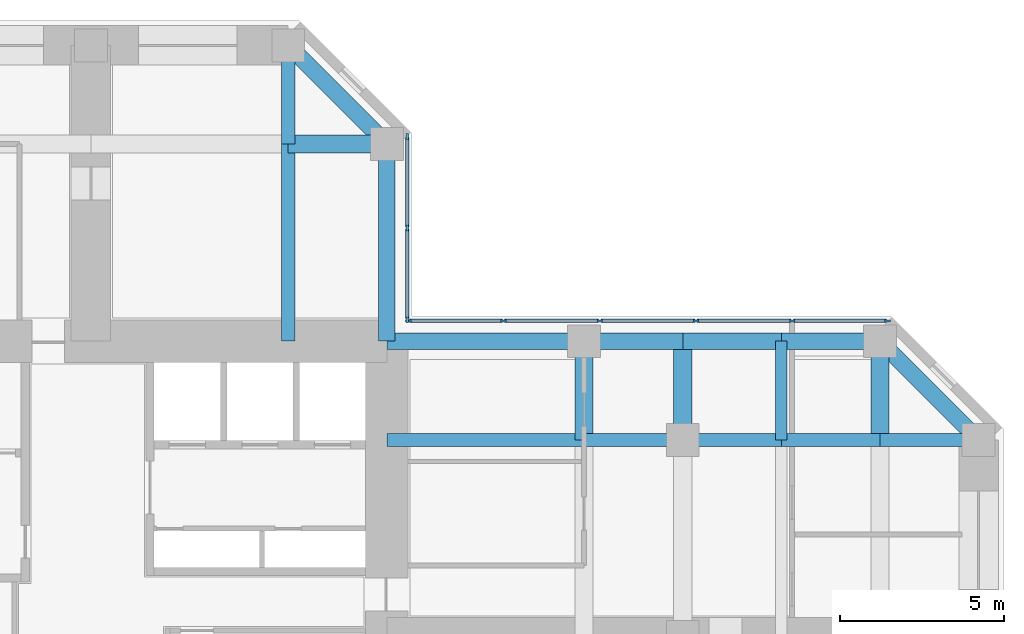
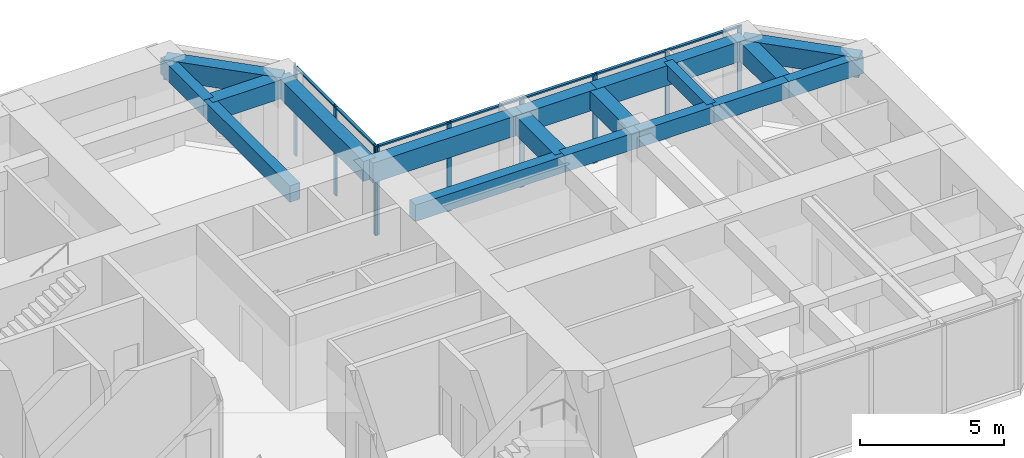
# One storey, part 6 of 13: 19 beams, 16 members, 2 elements without a shape of their own.
"""IFC4 building model written with IfcOpenShell, lengths in metres."""

from ifc_helpers import new_model, si_unit, direction, frame, origin, origin_2d, place, context, subcontext, project, spatial, rectangle, extrude, material, material_profile, profile_set, type_object, element, aggregate, save


model = new_model("IFC4")

# Units and contexts
model_context = context("Model", 3, precision=1e-05, world=origin(), true_north=direction((0.0, 1.0)))
body_context = subcontext(model_context, "Body", "Model", "MODEL_VIEW")
ifc_project = project(units=[si_unit("LENGTHUNIT", "METRE"), si_unit("AREAUNIT", "SQUARE_METRE"), si_unit("VOLUMEUNIT", "CUBIC_METRE"), si_unit("PLANEANGLEUNIT", "RADIAN"), si_unit("MASSUNIT", "GRAM", prefix="KILO")], contexts=[model_context])

# Site, building, storey
site_placement = place(None, origin())
site = spatial("IfcSite", under=ifc_project, at=site_placement, CompositionType="ELEMENT")
building_placement = place(site_placement, origin())
building = spatial("IfcBuilding", under=site, at=building_placement, Name="Torre Cruceta", CompositionType="ELEMENT")
storey_placement = place(building_placement, frame((0.0, 0.0, 132.5)))
storey = spatial("IfcBuildingStorey", under=building, at=storey_placement, Name="L32", CompositionType="ELEMENT", Elevation=132.5)

# Beams
ifc_material_1 = material(Name="Concrete G60 (fck 60 MPa)", Category="concrete")
ifc_material_profile_1 = material_profile(ifc_material_1, rectangle(XDim=0.39990234375, YDim=0.699951171875, at=origin_2d()), Name="RC 400X700")
ifc_profile_set_1 = profile_set([ifc_material_profile_1], Name="Concrete G60 (fck 60 MPa)")
beam_type_1 = type_object("IfcBeamType", Name="COLUMN LINE BEAM RC 400X700", PredefinedType="BEAM", material=ifc_profile_set_1)
beam_1_placement = place(storey_placement, frame((6.0, 9.0, 3.449951171875), z_axis=(0.0, 1.0, 0.0), x_axis=(-1.0, 0.0, 0.0)))
element("IfcBeam", 1, at=beam_1_placement, inside=storey, type_object=beam_type_1, Name="LB5 L32 N col- 1", PredefinedType="BEAM", context=body_context, shape_type="SweptSolid", body=[
    extrude(rectangle(XDim=0.39990234375, YDim=0.699951171875, at=origin_2d()), origin(), (0.0, 0.0, 1.0), 6.0),
])
beam_2_placement = place(storey_placement, frame((6.0, 15.0, 3.449951171875), z_axis=(0.0, 1.0, 0.0), x_axis=(-1.0, 0.0, 0.0)))
element("IfcBeam", 2, at=beam_2_placement, inside=storey, type_object=beam_type_1, Name="LB5 L32 N col- 2", PredefinedType="BEAM", context=body_context, shape_type="SweptSolid", body=[
    extrude(rectangle(XDim=0.39990234375, YDim=0.699951171875, at=origin_2d()), origin(), (0.0, 0.0, 1.0), 3.0),
])
beam_3_placement = place(storey_placement, frame((9.0, 6.0, 3.449951171875), z_axis=(1.0, 0.0, 0.0), x_axis=(0.0, 1.0, 0.0)))
element("IfcBeam", 3, at=beam_3_placement, inside=storey, type_object=beam_type_1, Name="LB5 L32 E col+ 1", PredefinedType="BEAM", context=body_context, shape_type="SweptSolid", body=[
    extrude(rectangle(XDim=0.39990234375, YDim=0.699951171875, at=origin_2d()), origin(), (0.0, 0.0, 1.0), 6.0),
])
for number, where, z_axis, x_axis, name in (
    (4, (15.0, 6.0, 3.449951171875), (1.0, 0.0, 0.0), (0.0, 1.0, 0.0), "LB5 L32 E col+ 2"),
    (5, (18.0, 6.0, 3.449951171875), (1.0, 0.0, 0.0), (0.0, 1.0, 0.0), "LB5 L32 E col+ 3"),
    (6, (21.0, 6.0, 3.449951171875), (1.0, 0.0, 0.0), (0.0, 1.0, 0.0), "LB5 L32 E col+ 4"),
    (7, (24.0, 6.0, 3.449951171875), (1.0, 0.0, 0.0), (0.0, 1.0, 0.0), "LB5 L32 E col+ 5"),
):
    element("IfcBeam", number, at=place(storey_placement, frame(where, z_axis=z_axis, x_axis=x_axis)), inside=storey, type_object=beam_type_1, Name=name, PredefinedType="BEAM", context=body_context, shape_type="SweptSolid", body=[
        extrude(rectangle(XDim=0.39990234375, YDim=0.699951171875, at=origin_2d()), origin(), (0.0, 0.0, 1.0), 3.0),
    ])
ifc_material_2 = material(Name="Concrete G60 (fck 60 MPa)", Category="concrete")
ifc_material_profile_2 = material_profile(ifc_material_2, rectangle(XDim=0.550048828125, YDim=0.800048828125, at=origin_2d()), Name="RC 550X800")
ifc_profile_set_2 = profile_set([ifc_material_profile_2], Name="Concrete G60 (fck 60 MPa)")
beam_type_2 = type_object("IfcBeamType", Name="CROSS BEAM RC 550X800", PredefinedType="BEAM", material=ifc_profile_set_2)
for number, where, z_axis, x_axis, name in (
    (8, (9.0, 15.0, 3.39990234375), (-1.0, 0.0, 0.0), (0.0, -1.0, 0.0), "GB5 L32 N cross15 1"),
    (9, (15.0, 6.0, 3.39990234375), (0.0, 1.0, 0.0), (-1.0, 0.0, 0.0), "GB5 L32 E cross15 4"),
    (10, (18.0, 6.0, 3.39990234375), (0.0, 1.0, 0.0), (-1.0, 0.0, 0.0), "GB5 L32 E cross18 4"),
    (11, (24.0, 6.0, 3.39990234375), (0.0, 1.0, 0.0), (-1.0, 0.0, 0.0), "GB5 L32 E cross24 4"),
):
    element("IfcBeam", number, at=place(storey_placement, frame(where, z_axis=z_axis, x_axis=x_axis)), inside=storey, type_object=beam_type_2, Name=name, PredefinedType="BEAM", context=body_context, shape_type="SweptSolid", body=[
        extrude(rectangle(XDim=0.550048828125, YDim=0.800048828125, at=origin_2d()), origin(), (0.0, 0.0, 1.0), 3.0),
    ])

# Curtain wall, members
ifc_material_3 = material(Name="Aluminium unitised curtain wall", Category="aluminium")
curtain_wall_type = type_object("IfcCurtainWallType", Name="CURTAIN WALL CW-B OFFICE MID RISE", PredefinedType="USERDEFINED", material=ifc_material_3)
curtain_wall_1_placement = place(storey_placement, origin())
curtain_wall_1 = element("IfcCurtainWall", 12, at=curtain_wall_1_placement, inside=storey, type_object=curtain_wall_type, Name="CW-B L32 E side 04", ObjectType="UNITISED", PredefinedType="USERDEFINED")
ifc_material_4 = material(Name="Aluminium mullion", Category="aluminium")
ifc_material_profile_3 = material_profile(ifc_material_4, rectangle(XDim=0.06494140625, YDim=0.179931640625, at=origin_2d()), Name="AL 65X180")
ifc_profile_set_3 = profile_set([ifc_material_profile_3], Name="Aluminium mullion")
member_type_1 = type_object("IfcMemberType", Name="CW-B MULLION 65X180", PredefinedType="MULLION", material=ifc_profile_set_3)
member_1_placement = place(storey_placement, frame((24.224365234375, 9.6201171875, 0.0), z_axis=(0.0, 0.0, 1.0), x_axis=(0.0, -1.0, 0.0)))
member_1 = element("IfcMember", 13, at=member_1_placement, type_object=member_type_1, Name="CW-B mullion 1", PredefinedType="MULLION", context=body_context, shape_type="SweptSolid", body=[
    extrude(rectangle(XDim=0.06494140625, YDim=0.179931640625, at=origin_2d()), origin(), (0.0, 0.0, 1.0), 3.800048828125),
])
member_2_placement = place(storey_placement, frame((21.329345703125, 9.6201171875, 0.0), z_axis=(0.0, 0.0, 1.0), x_axis=(0.0, -1.0, 0.0)))
member_2 = element("IfcMember", 14, at=member_2_placement, type_object=member_type_1, Name="CW-B mullion 2", PredefinedType="MULLION", context=body_context, shape_type="SweptSolid", body=[
    extrude(rectangle(XDim=0.06494140625, YDim=0.179931640625, at=origin_2d()), origin(), (0.0, 0.0, 1.0), 3.800048828125),
])
member_3_placement = place(storey_placement, frame((18.402099609375, 9.6201171875, 0.0), z_axis=(0.0, 0.0, 1.0), x_axis=(0.0, -1.0, 0.0)))
member_3 = element("IfcMember", 15, at=member_3_placement, type_object=member_type_1, Name="CW-B mullion 3", PredefinedType="MULLION", context=body_context, shape_type="SweptSolid", body=[
    extrude(rectangle(XDim=0.06494140625, YDim=0.179931640625, at=origin_2d()), origin(), (0.0, 0.0, 1.0), 3.800048828125),
])
member_4_placement = place(storey_placement, frame((15.474609375, 9.6201171875, 0.0), z_axis=(0.0, 0.0, 1.0), x_axis=(0.0, -1.0, 0.0)))
member_4 = element("IfcMember", 16, at=member_4_placement, type_object=member_type_1, Name="CW-B mullion 4", PredefinedType="MULLION", context=body_context, shape_type="SweptSolid", body=[
    extrude(rectangle(XDim=0.06494140625, YDim=0.179931640625, at=origin_2d()), origin(), (0.0, 0.0, 1.0), 3.800048828125),
])
member_5_placement = place(storey_placement, frame((12.54736328125, 9.6201171875, 0.0), z_axis=(0.0, 0.0, 1.0), x_axis=(0.0, -1.0, 0.0)))
member_5 = element("IfcMember", 17, at=member_5_placement, type_object=member_type_1, Name="CW-B mullion 5", PredefinedType="MULLION", context=body_context, shape_type="SweptSolid", body=[
    extrude(rectangle(XDim=0.06494140625, YDim=0.179931640625, at=origin_2d()), origin(), (0.0, 0.0, 1.0), 3.800048828125),
])
member_6_placement = place(storey_placement, frame((9.652587890625, 9.6201171875, 0.0), z_axis=(0.0, 0.0, 1.0), x_axis=(0.0, -1.0, 0.0)))
member_6 = element("IfcMember", 18, at=member_6_placement, type_object=member_type_1, Name="CW-B mullion 6", PredefinedType="MULLION", context=body_context, shape_type="SweptSolid", body=[
    extrude(rectangle(XDim=0.06494140625, YDim=0.179931640625, at=origin_2d()), origin(), (0.0, 0.0, 1.0), 3.800048828125),
])

curtain_wall_2_placement = place(storey_placement, origin())
curtain_wall_2 = element("IfcCurtainWall", 19, at=curtain_wall_2_placement, inside=storey, type_object=curtain_wall_type, Name="CW-B L32 N side 05", ObjectType="UNITISED", PredefinedType="USERDEFINED")
member_7_placement = place(storey_placement, frame((9.6201171875, 9.652587890625, 0.0), z_axis=(0.0, 0.0, 1.0), x_axis=(-1.0, 0.0, 0.0)))
member_7 = element("IfcMember", 20, at=member_7_placement, type_object=member_type_1, Name="CW-B mullion 1", PredefinedType="MULLION", context=body_context, shape_type="SweptSolid", body=[
    extrude(rectangle(XDim=0.06494140625, YDim=0.179931640625, at=origin_2d()), origin(), (0.0, 0.0, 1.0), 3.800048828125),
])
member_8_placement = place(storey_placement, frame((9.6201171875, 12.4384765625, 0.0), z_axis=(0.0, 0.0, 1.0), x_axis=(-1.0, 0.0, 0.0)))
member_8 = element("IfcMember", 21, at=member_8_placement, type_object=member_type_1, Name="CW-B mullion 2", PredefinedType="MULLION", context=body_context, shape_type="SweptSolid", body=[
    extrude(rectangle(XDim=0.06494140625, YDim=0.179931640625, at=origin_2d()), origin(), (0.0, 0.0, 1.0), 3.800048828125),
])
member_9_placement = place(storey_placement, frame((9.6201171875, 15.224365234375, 0.0), z_axis=(0.0, 0.0, 1.0), x_axis=(-1.0, 0.0, 0.0)))
member_9 = element("IfcMember", 22, at=member_9_placement, type_object=member_type_1, Name="CW-B mullion 3", PredefinedType="MULLION", context=body_context, shape_type="SweptSolid", body=[
    extrude(rectangle(XDim=0.06494140625, YDim=0.179931640625, at=origin_2d()), origin(), (0.0, 0.0, 1.0), 3.800048828125),
])

# Member
ifc_material_5 = material(Name="Aluminium transom", Category="aluminium")
ifc_material_profile_4 = material_profile(ifc_material_5, rectangle(XDim=0.110107421875, YDim=0.06494140625, at=origin_2d()), Name="AL 110X65")
ifc_profile_set_4 = profile_set([ifc_material_profile_4], Name="Aluminium transom")
member_type_2 = type_object("IfcMemberType", Name="CW-B TRANSOM 65X110", PredefinedType="USERDEFINED", material=ifc_profile_set_4)
member_10_placement = place(storey_placement, frame((24.19189453125, 9.6201171875, 3.767578125), z_axis=(-1.0, 0.0, 0.0), x_axis=(0.0, -1.0, 0.0)))
member_10 = element("IfcMember", 23, at=member_10_placement, type_object=member_type_2, Name="CW-B transom 1", ObjectType="TRANSOM", PredefinedType="USERDEFINED", context=body_context, shape_type="SweptSolid", body=[
    extrude(rectangle(XDim=0.110107421875, YDim=0.06494140625, at=origin_2d()), origin(), (0.0, 0.0, 1.0), 2.829833984375),
])

member_11_placement = place(storey_placement, frame((21.296875, 9.6201171875, 3.767578125), z_axis=(-1.0, 0.0, 0.0), x_axis=(0.0, -1.0, 0.0)))
member_11 = element("IfcMember", 24, at=member_11_placement, type_object=member_type_2, Name="CW-B transom 2", ObjectType="TRANSOM", PredefinedType="USERDEFINED", context=body_context, shape_type="SweptSolid", body=[
    extrude(rectangle(XDim=0.110107421875, YDim=0.06494140625, at=origin_2d()), origin(), (0.0, 0.0, 1.0), 2.8623046875),
])

member_12_placement = place(storey_placement, frame((18.36962890625, 9.6201171875, 3.767578125), z_axis=(-1.0, 0.0, 0.0), x_axis=(0.0, -1.0, 0.0)))
member_12 = element("IfcMember", 25, at=member_12_placement, type_object=member_type_2, Name="CW-B transom 3", ObjectType="TRANSOM", PredefinedType="USERDEFINED", context=body_context, shape_type="SweptSolid", body=[
    extrude(rectangle(XDim=0.110107421875, YDim=0.06494140625, at=origin_2d()), origin(), (0.0, 0.0, 1.0), 2.8623046875),
])

member_13_placement = place(storey_placement, frame((15.442138671875, 9.6201171875, 3.767578125), z_axis=(-1.0, 0.0, 0.0), x_axis=(0.0, -1.0, 0.0)))
member_13 = element("IfcMember", 26, at=member_13_placement, type_object=member_type_2, Name="CW-B transom 4", ObjectType="TRANSOM", PredefinedType="USERDEFINED", context=body_context, shape_type="SweptSolid", body=[
    extrude(rectangle(XDim=0.110107421875, YDim=0.06494140625, at=origin_2d()), origin(), (0.0, 0.0, 1.0), 2.8623046875),
])

member_14_placement = place(storey_placement, frame((12.514892578125, 9.6201171875, 3.767578125), z_axis=(-1.0, 0.0, 0.0), x_axis=(0.0, -1.0, 0.0)))
member_14 = element("IfcMember", 27, at=member_14_placement, type_object=member_type_2, Name="CW-B transom 5", ObjectType="TRANSOM", PredefinedType="USERDEFINED", context=body_context, shape_type="SweptSolid", body=[
    extrude(rectangle(XDim=0.110107421875, YDim=0.06494140625, at=origin_2d()), origin(), (0.0, 0.0, 1.0), 2.829833984375),
])

aggregate(curtain_wall_1, [member_1, member_2, member_3, member_4, member_5, member_6, member_10, member_11, member_12, member_13, member_14])

member_15_placement = place(storey_placement, frame((9.6201171875, 9.68505859375, 3.767578125), z_axis=(0.0, 1.0, 0.0), x_axis=(-1.0, 0.0, 0.0)))
member_15 = element("IfcMember", 28, at=member_15_placement, type_object=member_type_2, Name="CW-B transom 1", ObjectType="TRANSOM", PredefinedType="USERDEFINED", context=body_context, shape_type="SweptSolid", body=[
    extrude(rectangle(XDim=0.110107421875, YDim=0.06494140625, at=origin_2d()), origin(), (0.0, 0.0, 1.0), 2.720947265625),
])

member_16_placement = place(storey_placement, frame((9.6201171875, 12.470947265625, 3.767578125), z_axis=(0.0, 1.0, 0.0), x_axis=(-1.0, 0.0, 0.0)))
member_16 = element("IfcMember", 29, at=member_16_placement, type_object=member_type_2, Name="CW-B transom 2", ObjectType="TRANSOM", PredefinedType="USERDEFINED", context=body_context, shape_type="SweptSolid", body=[
    extrude(rectangle(XDim=0.110107421875, YDim=0.06494140625, at=origin_2d()), origin(), (0.0, 0.0, 1.0), 2.720947265625),
])

aggregate(curtain_wall_2, [member_7, member_8, member_9, member_15, member_16])

# Beams
ifc_material_6 = material(Name="Concrete G60 (fck 60 MPa)", Category="concrete")
ifc_material_profile_5 = material_profile(ifc_material_6, rectangle(XDim=0.35009765625, YDim=0.60009765625, at=origin_2d()), Name="RC 350X600")
ifc_profile_set_5 = profile_set([ifc_material_profile_5], Name="Concrete G60 (fck 60 MPa)")
beam_type_3 = type_object("IfcBeamType", Name="SECONDARY BEAM RC 350X600", PredefinedType="JOIST", material=ifc_profile_set_5)
beam_4_placement = place(storey_placement, frame((21.0, 6.0, 3.5), z_axis=(0.0, 1.0, 0.0), x_axis=(-1.0, 0.0, 0.0)))
element("IfcBeam", 30, at=beam_4_placement, inside=storey, type_object=beam_type_3, Name="JB5 L32 E sec21 4", PredefinedType="JOIST", context=body_context, shape_type="SweptSolid", body=[
    extrude(rectangle(XDim=0.35009765625, YDim=0.60009765625, at=origin_2d()), origin(), (0.0, 0.0, 1.0), 3.0),
])
ifc_material_7 = material(Name="Concrete G60 (fck 60 MPa)", Category="concrete")
ifc_material_profile_6 = material_profile(ifc_material_7, rectangle(XDim=0.5, YDim=0.85009765625, at=origin_2d()), Name="RC 500X850")
ifc_profile_set_6 = profile_set([ifc_material_profile_6], Name="Concrete G60 (fck 60 MPa)")
beam_type_4 = type_object("IfcBeamType", Name="SPANDREL BEAM RC 500X850", PredefinedType="SPANDREL", material=ifc_profile_set_6)
beam_5_placement = place(storey_placement, frame((9.0, 9.0, 3.375), z_axis=(0.0, 1.0, 0.0), x_axis=(-1.0, 0.0, 0.0)))
element("IfcBeam", 31, at=beam_5_placement, inside=storey, type_object=beam_type_4, Name="SB5 L32 N side- 1", PredefinedType="SPANDREL", context=body_context, shape_type="SweptSolid", body=[
    extrude(rectangle(XDim=0.5, YDim=0.85009765625, at=origin_2d()), origin(), (0.0, 0.0, 1.0), 6.0),
])
beam_6_placement = place(storey_placement, frame((9.0, 15.0, 3.375), z_axis=(-0.707106781187, 0.707106781187, 0.0), x_axis=(-0.707106781187, -0.707106781187, 0.0)))
element("IfcBeam", 32, at=beam_6_placement, inside=storey, type_object=beam_type_4, Name="SB5 L32 N side- 2", PredefinedType="SPANDREL", context=body_context, shape_type="SweptSolid", body=[
    extrude(rectangle(XDim=0.5, YDim=0.85009765625, at=origin_2d()), origin(), (0.0, 0.0, 1.0), 4.24267578125),
])
beam_7_placement = place(storey_placement, frame((9.0, 9.0, 3.375), z_axis=(1.0, 0.0, 0.0), x_axis=(0.0, 1.0, 0.0)))
element("IfcBeam", 33, at=beam_7_placement, inside=storey, type_object=beam_type_4, Name="SB5 L32 E side+ 1", PredefinedType="SPANDREL", context=body_context, shape_type="SweptSolid", body=[
    extrude(rectangle(XDim=0.5, YDim=0.85009765625, at=origin_2d()), origin(), (0.0, 0.0, 1.0), 6.0),
])
for number, where, z_axis, x_axis, name in (
    (34, (15.0, 9.0, 3.375), (1.0, 0.0, 0.0), (0.0, 1.0, 0.0), "SB5 L32 E side+ 2"),
    (35, (18.0, 9.0, 3.375), (1.0, 0.0, 0.0), (0.0, 1.0, 0.0), "SB5 L32 E side+ 3"),
    (36, (21.0, 9.0, 3.375), (1.0, 0.0, 0.0), (0.0, 1.0, 0.0), "SB5 L32 E side+ 4"),
):
    element("IfcBeam", number, at=place(storey_placement, frame(where, z_axis=z_axis, x_axis=x_axis)), inside=storey, type_object=beam_type_4, Name=name, PredefinedType="SPANDREL", context=body_context, shape_type="SweptSolid", body=[
        extrude(rectangle(XDim=0.5, YDim=0.85009765625, at=origin_2d()), origin(), (0.0, 0.0, 1.0), 3.0),
    ])
beam_8_placement = place(storey_placement, frame((24.0, 9.0, 3.375), z_axis=(0.707106781187, -0.707106781187, 0.0), x_axis=(0.707106781187, 0.707106781187, 0.0)))
element("IfcBeam", 37, at=beam_8_placement, inside=storey, type_object=beam_type_4, Name="SB5 L32 E side+ 5", PredefinedType="SPANDREL", context=body_context, shape_type="SweptSolid", body=[
    extrude(rectangle(XDim=0.5, YDim=0.85009765625, at=origin_2d()), origin(), (0.0, 0.0, 1.0), 4.24267578125),
])

save(model, "model.ifc")
